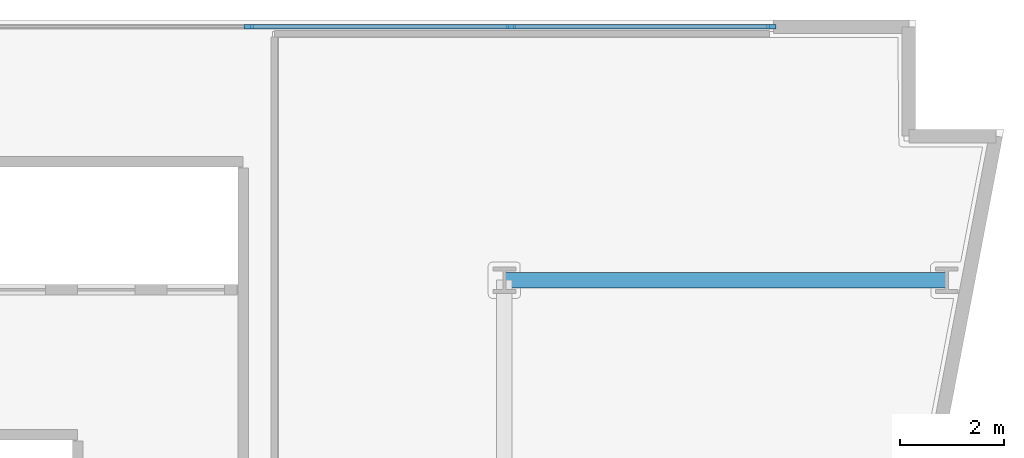
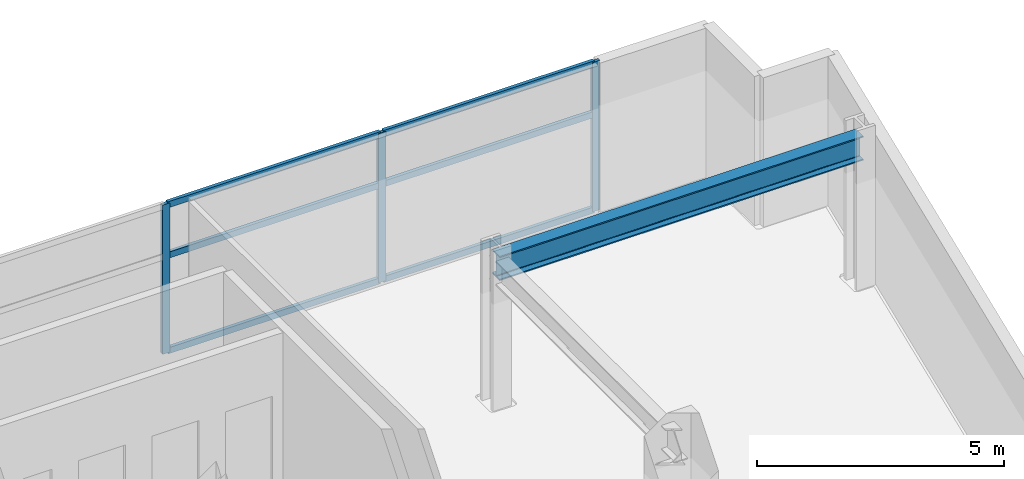
# One storey, part 4 of 12: 9 members, 1 beam, 1 element without a shape of its own.
"""IFC4 building model written with IfcOpenShell, lengths in metres."""

from ifc_helpers import new_model, si_unit, direction, frame, origin, origin_2d, place, context, subcontext, project, spatial, rectangle, i_section, extrude, material, layer, layer_set, material_profile, profile_set, type_object, element, aggregate, save


model = new_model("IFC4")

# Units and contexts
model_context = context("Model", 3, precision=1e-05, world=origin(), true_north=direction((0.0, 1.0)))
body_context = subcontext(model_context, "Body", "Model", "MODEL_VIEW")
ifc_project = project(units=[si_unit("LENGTHUNIT", "METRE"), si_unit("AREAUNIT", "SQUARE_METRE"), si_unit("VOLUMEUNIT", "CUBIC_METRE"), si_unit("PLANEANGLEUNIT", "RADIAN"), si_unit("MASSUNIT", "GRAM", prefix="KILO")], contexts=[model_context])

# Site, building, storey
site_placement = place(None, origin())
site = spatial("IfcSite", under=ifc_project, at=site_placement, CompositionType="ELEMENT")
building_placement = place(site_placement, origin())
building = spatial("IfcBuilding", under=site, at=building_placement, Name="Caeloran Harvest Quay", CompositionType="ELEMENT")
storey_placement = place(building_placement, frame((0.0, 0.0, 119.300048828125)))
storey = spatial("IfcBuildingStorey", under=building, at=storey_placement, Name="L27", CompositionType="ELEMENT", Elevation=119.300048828125)

# Beam
ifc_material_1 = material(Name="Steel S355J2", Category="steel")
ifc_material_profile_1 = material_profile(ifc_material_1, i_section(OverallWidth=0.300048828125, OverallDepth=0.60009765625, WebThickness=0.015380859375, FlangeThickness=0.030029296875, FilletRadius=0.027099609375, at=origin_2d()), Name="HE 600 B")
ifc_profile_set_1 = profile_set([ifc_material_profile_1], Name="Steel S355J2")
beam_type = type_object("IfcBeamType", Name="BM-PG-3-HE_600_B", PredefinedType="BEAM", material=ifc_profile_set_1)
beam_placement = place(storey_placement, frame((42.5, 38.5, 3.389892578125), z_axis=(1.0, 0.0, 0.0), x_axis=(0.0, 1.0, 0.0)))
element("IfcBeam", 1, at=beam_placement, inside=storey, type_object=beam_type, Name="L27 Primary East-West Girder Y=38.5", PredefinedType="BEAM", context=body_context, shape_type="SweptSolid", body=[
    extrude(i_section(OverallWidth=0.300048828125, OverallDepth=0.60009765625, WebThickness=0.015380859375, FlangeThickness=0.030029296875, FilletRadius=0.027099609375, at=origin_2d()), origin(), (0.0, 0.0, 1.0), 8.5),
])

# Curtain wall, members
ifc_material_2 = material(Name="Aluminium 6063-T6 and Low-E Glazing", Category="aluminium")
ifc_layer = layer(ifc_material_2, 0.18994140625, Name="Aluminium 6063-T6 and Low-E Glazing")
ifc_layer_set = layer_set([ifc_layer], Name="Aluminium 6063-T6 and Low-E Glazing")
curtain_wall_type = type_object("IfcCurtainWallType", Name="CW-SYS-CW-3", PredefinedType="USERDEFINED", material=ifc_layer_set)
curtain_wall_placement = place(storey_placement, origin())
curtain_wall = element("IfcCurtainWall", 2, at=curtain_wall_placement, inside=storey, type_object=curtain_wall_type, Name="L27 Unitised Curtain Wall CW-3 Run 6", ObjectType="CURTAIN_WALL", PredefinedType="USERDEFINED")
ifc_material_3 = material(Name="Aluminium 6063-T6", Category="aluminium")
ifc_material_profile_2 = material_profile(ifc_material_3, rectangle(XDim=0.080078125, YDim=0.179931640625, at=origin_2d()), Name="CW-MULLION-180")
ifc_profile_set_2 = profile_set([ifc_material_profile_2], Name="Aluminium 6063-T6")
member_type_1 = type_object("IfcMemberType", Name="CW-MULLION-180", PredefinedType="MULLION", material=ifc_profile_set_2)
member_1_placement = place(storey_placement, frame((37.5849609375, 43.3701171875, 0.0), z_axis=(0.0, 0.0, 1.0), x_axis=(0.0, 1.0, 0.0)))
member_1 = element("IfcMember", 3, at=member_1_placement, type_object=member_type_1, Name="CW-3 mullion 7", PredefinedType="MULLION", context=body_context, shape_type="SweptSolid", body=[
    extrude(rectangle(XDim=0.080078125, YDim=0.179931640625, at=origin_2d()), origin(), (0.0, 0.0, 1.0), 3.68994140625),
])
member_2_placement = place(storey_placement, frame((42.62744140625, 43.3701171875, 0.0), z_axis=(0.0, 0.0, 1.0), x_axis=(0.0, 1.0, 0.0)))
member_2 = element("IfcMember", 4, at=member_2_placement, type_object=member_type_1, Name="CW-3 mullion 8", PredefinedType="MULLION", context=body_context, shape_type="SweptSolid", body=[
    extrude(rectangle(XDim=0.080078125, YDim=0.179931640625, at=origin_2d()), origin(), (0.0, 0.0, 1.0), 3.68994140625),
])
member_3_placement = place(storey_placement, frame((47.6298828125, 43.3701171875, 0.0), z_axis=(0.0, 0.0, 1.0), x_axis=(0.0, 1.0, 0.0)))
member_3 = element("IfcMember", 5, at=member_3_placement, type_object=member_type_1, Name="CW-3 mullion 9", PredefinedType="MULLION", context=body_context, shape_type="SweptSolid", body=[
    extrude(rectangle(XDim=0.080078125, YDim=0.179931640625, at=origin_2d()), origin(), (0.0, 0.0, 1.0), 3.68994140625),
])
ifc_material_profile_3 = material_profile(ifc_material_3, rectangle(XDim=0.080078125, YDim=0.14990234375, at=origin_2d()), Name="CW-TRANSOM-150")
ifc_profile_set_3 = profile_set([ifc_material_profile_3], Name="Aluminium 6063-T6")
member_type_2 = type_object("IfcMemberType", Name="CW-TRANSOM-150", PredefinedType="USERDEFINED", material=ifc_profile_set_3)
member_4_placement = place(storey_placement, frame((37.625, 43.3701171875, 0.0400390625), z_axis=(1.0, 0.0, 0.0), x_axis=(0.0, 1.0, 0.0)))
member_4 = element("IfcMember", 6, at=member_4_placement, type_object=member_type_2, Name="CW-3 transom 7.1", ObjectType="TRANSOM", PredefinedType="USERDEFINED", context=body_context, shape_type="SweptSolid", body=[
    extrude(rectangle(XDim=0.080078125, YDim=0.14990234375, at=origin_2d()), origin(), (0.0, 0.0, 1.0), 4.96240234375),
])
member_5_placement = place(storey_placement, frame((37.625, 43.3701171875, 2.39990234375), z_axis=(1.0, 0.0, 0.0), x_axis=(0.0, 1.0, 0.0)))
member_5 = element("IfcMember", 7, at=member_5_placement, type_object=member_type_2, Name="CW-3 transom 7.2", ObjectType="TRANSOM", PredefinedType="USERDEFINED", context=body_context, shape_type="SweptSolid", body=[
    extrude(rectangle(XDim=0.080078125, YDim=0.14990234375, at=origin_2d()), origin(), (0.0, 0.0, 1.0), 4.96240234375),
])
member_6_placement = place(storey_placement, frame((37.625, 43.3701171875, 3.64990234375), z_axis=(1.0, 0.0, 0.0), x_axis=(0.0, 1.0, 0.0)))
member_6 = element("IfcMember", 8, at=member_6_placement, type_object=member_type_2, Name="CW-3 transom 7.3", ObjectType="TRANSOM", PredefinedType="USERDEFINED", context=body_context, shape_type="SweptSolid", body=[
    extrude(rectangle(XDim=0.080078125, YDim=0.14990234375, at=origin_2d()), origin(), (0.0, 0.0, 1.0), 4.96240234375),
])
member_7_placement = place(storey_placement, frame((42.66748046875, 43.3701171875, 0.0400390625), z_axis=(1.0, 0.0, 0.0), x_axis=(0.0, 1.0, 0.0)))
member_7 = element("IfcMember", 9, at=member_7_placement, type_object=member_type_2, Name="CW-3 transom 8.1", ObjectType="TRANSOM", PredefinedType="USERDEFINED", context=body_context, shape_type="SweptSolid", body=[
    extrude(rectangle(XDim=0.080078125, YDim=0.14990234375, at=origin_2d()), origin(), (0.0, 0.0, 1.0), 4.922607421875),
])
member_8_placement = place(storey_placement, frame((42.66748046875, 43.3701171875, 2.39990234375), z_axis=(1.0, 0.0, 0.0), x_axis=(0.0, 1.0, 0.0)))
member_8 = element("IfcMember", 10, at=member_8_placement, type_object=member_type_2, Name="CW-3 transom 8.2", ObjectType="TRANSOM", PredefinedType="USERDEFINED", context=body_context, shape_type="SweptSolid", body=[
    extrude(rectangle(XDim=0.080078125, YDim=0.14990234375, at=origin_2d()), origin(), (0.0, 0.0, 1.0), 4.922607421875),
])
member_9_placement = place(storey_placement, frame((42.66748046875, 43.3701171875, 3.64990234375), z_axis=(1.0, 0.0, 0.0), x_axis=(0.0, 1.0, 0.0)))
member_9 = element("IfcMember", 11, at=member_9_placement, type_object=member_type_2, Name="CW-3 transom 8.3", ObjectType="TRANSOM", PredefinedType="USERDEFINED", context=body_context, shape_type="SweptSolid", body=[
    extrude(rectangle(XDim=0.080078125, YDim=0.14990234375, at=origin_2d()), origin(), (0.0, 0.0, 1.0), 4.922607421875),
])
aggregate(curtain_wall, [member_1, member_2, member_3, member_4, member_5, member_6, member_7, member_8, member_9])

save(model, "model.ifc")
